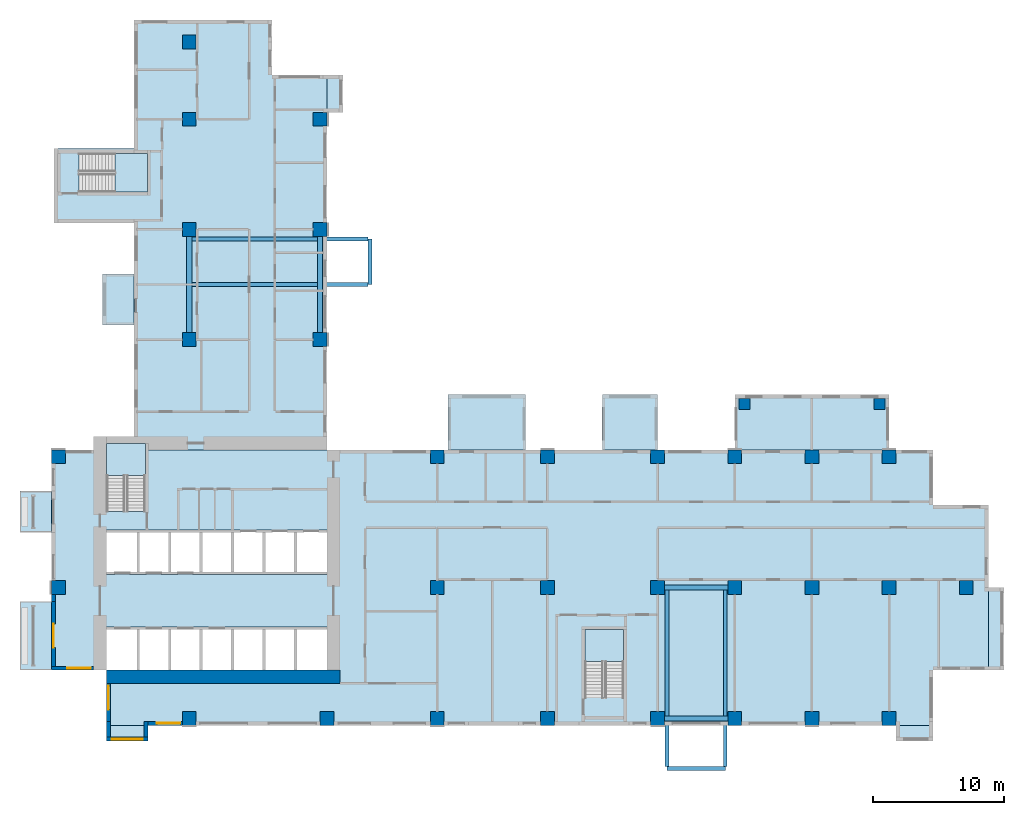
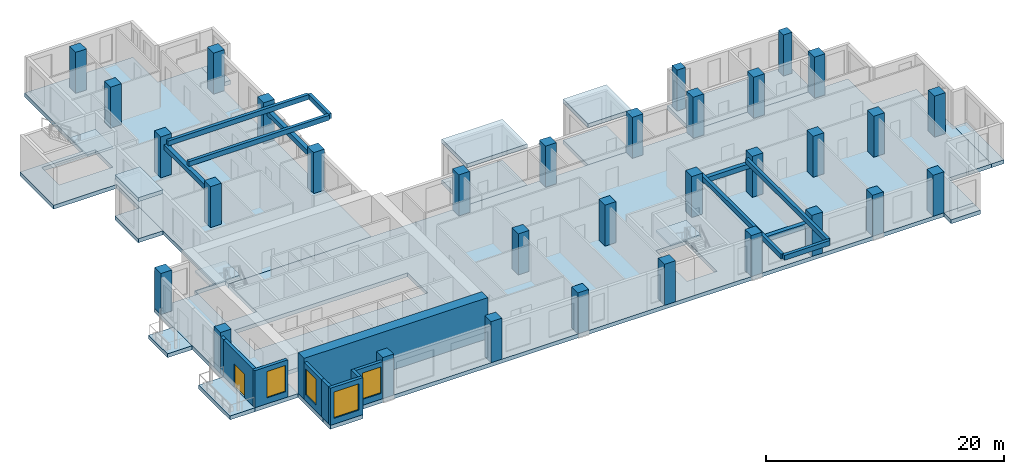
# One storey, part 1 of 14: 32 columns, 18 slabs, 10 beams, 9 walls, 4 windows, 1 door, 5 openings, 3 elements without a shape of their own.
"""IFC4 building model written with IfcOpenShell, lengths in metres."""

import ifcopenshell
import ifcopenshell.guid

model = None  # the IFC model being written
_history = None  # IfcOwnerHistory: only IFC2X3 demands one
_inside = {}  # id of a spatial element -> (the spatial element, [elements in it])
_under = {}  # id of a project, library or spatial element -> (it, [spatial elements below it])
_declared = {}  # id of a project -> (the project, [libraries it declares])
_typed = {}  # id of a type object -> (the type object, [elements of that type])
_made_of = {}  # id of a material, layer set ... -> (it, [elements and type objects made of it])


def new_model(schema):
    """Start an empty IFC model of exactly this schema.

    Asked for "IFC4X3", IfcOpenShell would pick the latest addendum, in which some entities
    have other attributes; the version numbers below select the first issue.
    IFC2X3 requires an IfcOwnerHistory on every rooted entity: one is made here for all.
    """
    global model, _history
    if schema == "IFC4X3":
        model = ifcopenshell.file(schema_version=(4, 3, 0, 0))
    else:
        model = ifcopenshell.file(schema=schema)
    _inside.clear()
    _under.clear()
    _declared.clear()
    _typed.clear()
    _made_of.clear()
    _history = None
    if model.schema == "IFC2X3":
        org = make("IfcOrganization", Name="unknown")
        user = make(
            "IfcPersonAndOrganization",
            ThePerson=make("IfcPerson", FamilyName="unknown"),
            TheOrganization=org,
        )
        app = make(
            "IfcApplication",
            ApplicationDeveloper=org,
            Version="unknown",
            ApplicationFullName="unknown",
            ApplicationIdentifier="unknown",
        )
        _history = make(
            "IfcOwnerHistory",
            OwningUser=user,
            OwningApplication=app,
            ChangeAction="ADDED",
            CreationDate=0,
        )
    return model


def make(cls, **values):
    """One entity of the class cls with the attributes given. An attribute that is None is left unset."""
    return model.create_entity(
        cls, **{name: value for name, value in values.items() if value is not None}
    )


def rooted(cls, **values):
    """An entity with a GlobalId (a new one), such as an element, a storey or a relation."""
    return make(cls, GlobalId=ifcopenshell.guid.new(), OwnerHistory=_history, **values)


def si_unit(unit_type, name, prefix=None):
    """IfcSIUnit, for example si_unit("LENGTHUNIT", "METRE", prefix="MILLI")."""
    return make("IfcSIUnit", UnitType=unit_type, Prefix=prefix, Name=name)


def assignment(units):
    """IfcUnitAssignment: the units of a project."""
    return None if units is None else make("IfcUnitAssignment", Units=units)


def point(xyz):
    """IfcCartesianPoint."""
    return None if xyz is None else make("IfcCartesianPoint", Coordinates=xyz)


def direction(xyz):
    """IfcDirection."""
    return None if xyz is None else make("IfcDirection", DirectionRatios=xyz)


def frame(location, z_axis=None, x_axis=None):
    """IfcAxis2Placement3D, a coordinate frame: its origin and axes. An axis left out is left unset."""
    return make(
        "IfcAxis2Placement3D",
        Location=point(location),
        Axis=direction(z_axis),
        RefDirection=direction(x_axis),
    )


def frame_2d(location, x_axis=None):
    """IfcAxis2Placement2D, a coordinate frame in the plane: its origin and x axis."""
    return make(
        "IfcAxis2Placement2D", Location=point(location), RefDirection=direction(x_axis)
    )


def origin():
    """The frame at (0, 0, 0) with its axes left unset."""
    return frame((0.0, 0.0, 0.0))


def origin_2d():
    """The frame at (0, 0) in the plane with its x axis left unset."""
    return frame_2d((0.0, 0.0))


def place(relative_to, where):
    """IfcLocalPlacement: puts the frame where relative to a parent placement (None: the world)."""
    return make(
        "IfcLocalPlacement", PlacementRelTo=relative_to, RelativePlacement=where
    )


def context(
    kind, dimensions, precision=None, world=None, true_north=None, identifier=None
):
    """IfcGeometricRepresentationContext, for example the 3D "Model" context."""
    return make(
        "IfcGeometricRepresentationContext",
        ContextIdentifier=identifier,
        ContextType=kind,
        CoordinateSpaceDimension=dimensions,
        Precision=precision,
        WorldCoordinateSystem=world,
        TrueNorth=true_north,
    )


def subcontext(parent, identifier, kind, view, scale=None):
    """IfcGeometricRepresentationSubContext, for example "Body" below "Model"."""
    return make(
        "IfcGeometricRepresentationSubContext",
        ContextIdentifier=identifier,
        ContextType=kind,
        ParentContext=parent,
        TargetScale=scale,
        TargetView=view,
    )


def project(units=None, contexts=None):
    """IfcProject with its units and contexts."""
    return rooted(
        "IfcProject",
        Name="project",
        RepresentationContexts=contexts,
        UnitsInContext=assignment(units),
    )


def spatial(cls, under=None, at=None, **own):
    """A site, building, storey or space (cls), placed at a placement, below another one or the project."""
    s = rooted(cls, ObjectPlacement=at, **own)
    if under is not None:
        _under.setdefault(under.id(), (under, []))[1].append(s)
    return s


def polyline(points):
    """IfcPolyline through the points."""
    return make("IfcPolyline", Points=[point(p) for p in points])


def profile(cls, at=None, kind="AREA", **sizes):
    """A parametric profile (cls). Its sizes go by their IFC names, for example OverallWidth=200.0."""
    return make(cls, ProfileType=kind, Position=at, **sizes)


def rectangle(**sizes):
    """IfcRectangleProfileDef."""
    return profile("IfcRectangleProfileDef", **sizes)


def outline(outer, holes=None, kind="AREA"):
    """IfcArbitraryClosedProfileDef: a profile drawn as a closed curve; with holes, ...WithVoids."""
    if holes is None:
        return make("IfcArbitraryClosedProfileDef", ProfileType=kind, OuterCurve=outer)
    return make(
        "IfcArbitraryProfileDefWithVoids",
        ProfileType=kind,
        OuterCurve=outer,
        InnerCurves=holes,
    )


def extrude(swept, where, along, depth):
    """IfcExtrudedAreaSolid: the profile swept, set in the frame where, extruded along a direction by depth."""
    return make(
        "IfcExtrudedAreaSolid",
        SweptArea=swept,
        Position=where,
        ExtrudedDirection=direction(along),
        Depth=depth,
    )


def shape(context_of_items, identifier, shape_type, items):
    """IfcShapeRepresentation: the items that make up one representation, for example the "Body"."""
    return make(
        "IfcShapeRepresentation",
        ContextOfItems=context_of_items,
        RepresentationIdentifier=identifier,
        RepresentationType=shape_type,
        Items=items,
    )


def source(mapping_origin, context_of_items, identifier, shape_type, items):
    """IfcRepresentationMap: a shape defined once, which mapped items show again and again."""
    return make(
        "IfcRepresentationMap",
        MappingOrigin=mapping_origin,
        MappedRepresentation=shape(context_of_items, identifier, shape_type, items),
    )


def transform(
    local_origin,
    x_axis=None,
    y_axis=None,
    z_axis=None,
    scale=None,
    scale2=None,
    scale3=None,
    uniform=True,
):
    """IfcCartesianTransformationOperator3D, or its non-uniform kind. x_axis, y_axis, z_axis: its Axis1, 2, 3."""
    if uniform:
        return make(
            "IfcCartesianTransformationOperator3D",
            Axis1=direction(x_axis),
            Axis2=direction(y_axis),
            LocalOrigin=point(local_origin),
            Scale=scale,
            Axis3=direction(z_axis),
        )
    return make(
        "IfcCartesianTransformationOperator3DnonUniform",
        Axis1=direction(x_axis),
        Axis2=direction(y_axis),
        LocalOrigin=point(local_origin),
        Scale=scale,
        Axis3=direction(z_axis),
        Scale2=scale2,
        Scale3=scale3,
    )


def mapped(mapping_source, mapping_target):
    """IfcMappedItem: shows the shape of a source again, moved by a transform."""
    return make(
        "IfcMappedItem", MappingSource=mapping_source, MappingTarget=mapping_target
    )


def material(Name=None, Category=None):
    """IfcMaterial."""
    return make("IfcMaterial", Name=Name, Category=Category)


def layer(
    of_material, thickness, ventilated=None, Name=None, Category=None, Priority=None
):
    """IfcMaterialLayer: one layer of a wall or slab, of a material (None: an air gap)."""
    return make(
        "IfcMaterialLayer",
        Material=of_material,
        LayerThickness=thickness,
        IsVentilated=ventilated,
        Name=Name,
        Category=Category,
        Priority=Priority,
    )


def layer_set(layers, Name=None):
    """IfcMaterialLayerSet."""
    return make("IfcMaterialLayerSet", MaterialLayers=layers, LayerSetName=Name)


def material_profile(
    of_material, cross_section, Name=None, Category=None, Priority=None
):
    """IfcMaterialProfile: a cross section and its material."""
    return make(
        "IfcMaterialProfile",
        Name=Name,
        Material=of_material,
        Profile=cross_section,
        Priority=Priority,
        Category=Category,
    )


def profile_set(profiles, Name=None, composite=None):
    """IfcMaterialProfileSet."""
    return make(
        "IfcMaterialProfileSet",
        Name=Name,
        MaterialProfiles=profiles,
        CompositeProfile=composite,
    )


def made_of(thing, what):
    """Note that an element or type object is made of a material, layer set ...; save() writes the relation."""
    if what is not None:
        _made_of.setdefault(what.id(), (what, []))[1].append(thing)
    return thing


def type_object(cls, material=None, **own):
    """A type object (cls), such as IfcWallType, which elements share."""
    return made_of(rooted(cls, **own), material)


def element(
    cls,
    number,
    at=None,
    inside=None,
    cuts=None,
    type_object=None,
    material=None,
    context=None,
    identifier="Body",
    shape_type=None,
    held_by="IfcProductDefinitionShape",
    body=None,
    shapes=None,
    **own,
):
    """One element of the class cls, such as IfcWall. Its Tag is "e" and its number.

    at: its placement. inside: the storey or other place that contains it. cuts: it is an
    opening in that element (IfcRelVoidsElement). A single representation is given by context,
    identifier, shape_type and body (its items); several are given by shapes. held_by: the class
    of the entity that holds the representations. save() writes the other relations.
    """
    e = rooted(cls, Tag="e%d" % number, ObjectPlacement=at, **own)
    if body is not None:
        shapes = [shape(context, identifier, shape_type, body)]
    if shapes is not None:
        e.Representation = make(held_by, Representations=shapes)
    if inside is not None:
        _inside.setdefault(inside.id(), (inside, []))[1].append(e)
    if cuts is not None:
        rooted(
            "IfcRelVoidsElement", RelatingBuildingElement=cuts, RelatedOpeningElement=e
        )
    if type_object is not None:
        _typed.setdefault(type_object.id(), (type_object, []))[1].append(e)
    return made_of(e, material)


def fill(opening, filler):
    """IfcRelFillsElement: the door or window that sits in an opening."""
    return rooted(
        "IfcRelFillsElement",
        RelatingOpeningElement=opening,
        RelatedBuildingElement=filler,
    )


def aggregate(whole, parts):
    """IfcRelAggregates: a whole, such as a stair, and the parts it consists of."""
    return rooted("IfcRelAggregates", RelatingObject=whole, RelatedObjects=parts)


def save(model, path):
    """Write the relations noted so far, then the file.

    IfcRelAggregates (storeys below a building ...), IfcRelContainedInSpatialStructure (elements
    in a storey), IfcRelDefinesByType, IfcRelAssociatesMaterial and IfcRelDeclares: one each for
    every whole, place, type object, material and project.
    """
    for whole, parts in _under.values():
        aggregate(whole, parts)
    for where, things in _inside.values():
        rooted(
            "IfcRelContainedInSpatialStructure",
            RelatedElements=things,
            RelatingStructure=where,
        )
    for kind, things in _typed.values():
        rooted("IfcRelDefinesByType", RelatedObjects=things, RelatingType=kind)
    for what, things in _made_of.values():
        rooted("IfcRelAssociatesMaterial", RelatedObjects=things, RelatingMaterial=what)
    for by, libraries in _declared.values():
        rooted("IfcRelDeclares", RelatingContext=by, RelatedDefinitions=libraries)
    model.write(path)


model = new_model("IFC4")

# Units and contexts
model_context = context("Model", 3, precision=1e-05, world=origin(), true_north=direction((0.0, 1.0)))
body_context = subcontext(model_context, "Body", "Model", "MODEL_VIEW")
ifc_project = project(units=[si_unit("LENGTHUNIT", "METRE"), si_unit("AREAUNIT", "SQUARE_METRE"), si_unit("VOLUMEUNIT", "CUBIC_METRE"), si_unit("PLANEANGLEUNIT", "RADIAN"), si_unit("MASSUNIT", "GRAM", prefix="KILO")], contexts=[model_context])

# Site, building, storey
site_placement = place(None, origin())
site = spatial("IfcSite", under=ifc_project, at=site_placement, CompositionType="ELEMENT")
building_placement = place(site_placement, origin())
building = spatial("IfcBuilding", under=site, at=building_placement, Name="Aurelian Terraces", CompositionType="ELEMENT")
storey_placement = place(building_placement, frame((0.0, 0.0, 141.3)))
storey = spatial("IfcBuildingStorey", under=building, at=storey_placement, Name="L31", CompositionType="ELEMENT", Elevation=141.3)

# Columns
ifc_material_1 = material(Name="Concrete fc' 83 MPa", Category="concrete")
ifc_material_profile_1 = material_profile(ifc_material_1, rectangle(XDim=1.05, YDim=1.05, at=origin_2d()))
ifc_profile_set_1 = profile_set([ifc_material_profile_1], Name="Concrete fc' 83 MPa")
column_type_1 = type_object("IfcColumnType", Name="RC COLUMN 1050X1050 FC83", PredefinedType="COLUMN", material=ifc_profile_set_1)
shared_shape_1 = source(origin(), body_context, "Body", "SweptSolid", [
    extrude(rectangle(XDim=1.05, YDim=1.05, at=origin_2d()), origin(), (0.0, 0.0, 1.0), 4.2),
])
for number, where, z_axis, x_axis, name in (
    (1, (10.5, 0.525, 0.0), (0.0, 0.0, 1.0), (1.0, 0.0, 0.0), "Column 2/A L31"),
    (2, (21.0, 0.525, 0.0), (0.0, 0.0, 1.0), (1.0, 0.0, 0.0), "Column 3/A L31"),
    (3, (29.4, 0.525, 0.0), (0.0, 0.0, 1.0), (1.0, 0.0, 0.0), "Column 4/A L31"),
    (4, (37.8, 0.525, 0.0), (0.0, 0.0, 1.0), (1.0, 0.0, 0.0), "Column 5/A L31"),
    (5, (46.2, 0.525, 0.0), (0.0, 0.0, 1.0), (1.0, 0.0, 0.0), "Column 6/A L31"),
    (6, (52.08, 0.525, 0.0), (0.0, 0.0, 1.0), (1.0, 0.0, 0.0), "Column 7/A L31"),
    (7, (57.96, 0.525, 0.0), (0.0, 0.0, 1.0), (1.0, 0.0, 0.0), "Column 8/A L31"),
    (8, (63.84, 0.525, 0.0), (0.0, 0.0, 1.0), (1.0, 0.0, 0.0), "Column 9/A L31"),
    (9, (0.525, 10.5, 0.0), (0.0, 0.0, 1.0), (1.0, 0.0, 0.0), "Column 1/B L31"),
    (10, (29.4, 10.5, 0.0), (0.0, 0.0, 1.0), (1.0, 0.0, 0.0), "Column 4/B L31"),
    (11, (37.8, 10.5, 0.0), (0.0, 0.0, 1.0), (1.0, 0.0, 0.0), "Column 5/B L31"),
    (12, (46.2, 10.5, 0.0), (0.0, 0.0, 1.0), (1.0, 0.0, 0.0), "Column 6/B L31"),
    (13, (52.08, 10.5, 0.0), (0.0, 0.0, 1.0), (1.0, 0.0, 0.0), "Column 7/B L31"),
    (14, (57.96, 10.5, 0.0), (0.0, 0.0, 1.0), (1.0, 0.0, 0.0), "Column 8/B L31"),
    (15, (63.84, 10.5, 0.0), (0.0, 0.0, 1.0), (1.0, 0.0, 0.0), "Column 9/B L31"),
    (16, (69.72, 10.5, 0.0), (0.0, 0.0, 1.0), (1.0, 0.0, 0.0), "Column 10/B L31"),
    (17, (0.525, 20.475, 0.0), (0.0, 0.0, 1.0), (1.0, 0.0, 0.0), "Column 1/C L31"),
    (18, (29.4, 20.475, 0.0), (0.0, 0.0, 1.0), (1.0, 0.0, 0.0), "Column 4/C L31"),
    (19, (37.8, 20.475, 0.0), (0.0, 0.0, 1.0), (1.0, 0.0, 0.0), "Column 5/C L31"),
    (20, (46.2, 20.475, 0.0), (0.0, 0.0, 1.0), (1.0, 0.0, 0.0), "Column 6/C L31"),
    (21, (52.08, 20.475, 0.0), (0.0, 0.0, 1.0), (1.0, 0.0, 0.0), "Column 7/C L31"),
    (22, (57.96, 20.475, 0.0), (0.0, 0.0, 1.0), (1.0, 0.0, 0.0), "Column 8/C L31"),
    (23, (63.84, 20.475, 0.0), (0.0, 0.0, 1.0), (1.0, 0.0, 0.0), "Column 9/C L31"),
    (24, (10.5, 29.4, 0.0), (0.0, 0.0, 1.0), (1.0, 0.0, 0.0), "Column 2/D L31"),
    (25, (20.475, 29.4, 0.0), (0.0, 0.0, 1.0), (1.0, 0.0, 0.0), "Column 3/D L31"),
    (26, (10.5, 37.8, 0.0), (0.0, 0.0, 1.0), (1.0, 0.0, 0.0), "Column 2/E L31"),
    (27, (20.475, 37.8, 0.0), (0.0, 0.0, 1.0), (1.0, 0.0, 0.0), "Column 3/E L31"),
    (28, (10.5, 46.2, 0.0), (0.0, 0.0, 1.0), (1.0, 0.0, 0.0), "Column 2/F L31"),
    (29, (20.475, 46.2, 0.0), (0.0, 0.0, 1.0), (1.0, 0.0, 0.0), "Column 3/F L31"),
    (30, (10.5, 52.08, 0.0), (0.0, 0.0, 1.0), (1.0, 0.0, 0.0), "Column 2/G L31"),
):
    element("IfcColumn", number, at=place(storey_placement, frame(where, z_axis=z_axis, x_axis=x_axis)), inside=storey, type_object=column_type_1, Name=name, PredefinedType="COLUMN", context=body_context, shape_type="MappedRepresentation", body=[
        mapped(shared_shape_1, transform((0.0, 0.0, 0.0), scale=1.0)),
    ])
ifc_material_2 = material(Name="Concrete fc' 55 MPa", Category="concrete")
ifc_material_profile_2 = material_profile(ifc_material_2, rectangle(XDim=0.84, YDim=0.84, at=origin_2d()))
ifc_profile_set_2 = profile_set([ifc_material_profile_2], Name="Concrete fc' 55 MPa")
column_type_2 = type_object("IfcColumnType", Name="BLOCK CORNER PIER 840X840", PredefinedType="COLUMN", material=ifc_profile_set_2)
shared_shape_2 = source(origin(), body_context, "Body", "SweptSolid", [
    extrude(rectangle(XDim=0.84, YDim=0.84, at=origin_2d()), origin(), (0.0, 0.0, 1.0), 4.2),
])
for number, where, z_axis, x_axis, name in (
    (31, (52.805, 24.48, 0.0), (0.0, 0.0, 1.0), (1.0, 0.0, 0.0), "Block pier K02.1 L31"),
    (32, (63.115, 24.48, 0.0), (0.0, 0.0, 1.0), (1.0, 0.0, 0.0), "Block pier K02.2 L31"),
):
    element("IfcColumn", number, at=place(storey_placement, frame(where, z_axis=z_axis, x_axis=x_axis)), inside=storey, type_object=column_type_2, Name=name, PredefinedType="COLUMN", context=body_context, shape_type="MappedRepresentation", body=[
        mapped(shared_shape_2, transform((0.0, 0.0, 0.0), scale=1.0)),
    ])

# Beams
ifc_material_3 = material(Name="Concrete fc' 40 MPa", Category="concrete")
ifc_material_profile_3 = material_profile(ifc_material_3, rectangle(XDim=0.4, YDim=0.5, at=origin_2d()))
ifc_profile_set_3 = profile_set([ifc_material_profile_3], Name="Concrete fc' 40 MPa")
beam_type_1 = type_object("IfcBeamType", Name="CONCRETE EDGE GIRDER 400X500", PredefinedType="BEAM", material=ifc_profile_set_3)
shared_shape_3 = source(origin(), body_context, "Body", "SweptSolid", [
    extrude(rectangle(XDim=0.4, YDim=0.5, at=origin_2d()), origin(), (0.0, 0.0, 1.0), 4.83),
])
for number, where, z_axis, x_axis, name in (
    (33, (46.725, 0.525, 3.05), (1.0, 0.0, 0.0), (0.0, 1.0, 0.0), "Box girder L31 O93"),
    (34, (46.725, 10.5, 3.05), (1.0, 0.0, 0.0), (0.0, 1.0, 0.0), "Box girder L31 I94"),
):
    element("IfcBeam", number, at=place(storey_placement, frame(where, z_axis=z_axis, x_axis=x_axis)), inside=storey, type_object=beam_type_1, Name=name, PredefinedType="BEAM", context=body_context, shape_type="MappedRepresentation", body=[
        mapped(shared_shape_3, transform((0.0, 0.0, 0.0), scale=1.0)),
    ])
ifc_material_profile_4 = material_profile(ifc_material_3, rectangle(XDim=0.3, YDim=0.5, at=origin_2d()))
ifc_profile_set_4 = profile_set([ifc_material_profile_4], Name="Concrete fc' 40 MPa")
beam_type_2 = type_object("IfcBeamType", Name="CONCRETE CANTILEVER BEAM 300X500", PredefinedType="BEAM", material=ifc_profile_set_4)
shared_shape_4 = source(origin(), body_context, "Body", "SweptSolid", [
    extrude(rectangle(XDim=0.3, YDim=0.5, at=origin_2d()), origin(), (0.0, 0.0, 1.0), 13.625),
])
for number, where, z_axis, x_axis, name in (
    (35, (46.925, -3.125, 3.55), (0.0, 1.0, 0.0), (-1.0, 0.0, 0.0), "Box cantilever beam J45.1"),
    (36, (51.355, -3.125, 3.55), (0.0, 1.0, 0.0), (-1.0, 0.0, 0.0), "Box cantilever beam J45.2"),
    (37, (24.125, 33.6, 3.55), (-1.0, 0.0, 0.0), (0.0, -1.0, 0.0), "Box cantilever beam J46.1"),
    (38, (24.125, 37.075, 3.55), (-1.0, 0.0, 0.0), (0.0, -1.0, 0.0), "Box cantilever beam J46.2"),
):
    element("IfcBeam", number, at=place(storey_placement, frame(where, z_axis=z_axis, x_axis=x_axis)), inside=storey, type_object=beam_type_2, Name=name, PredefinedType="BEAM", context=body_context, shape_type="MappedRepresentation", body=[
        mapped(shared_shape_4, transform((0.0, 0.0, 0.0), scale=1.0)),
    ])
shared_shape_5 = source(origin(), body_context, "Body", "SweptSolid", [
    extrude(rectangle(XDim=0.4, YDim=0.5, at=origin_2d()), origin(), (0.0, 0.0, 1.0), 7.35),
])
for number, where, z_axis, x_axis, name in (
    (39, (20.475, 29.925, 3.05), (0.0, 1.0, 0.0), (-1.0, 0.0, 0.0), "Box girder L31 O95"),
    (40, (10.5, 29.925, 3.05), (0.0, 1.0, 0.0), (-1.0, 0.0, 0.0), "Box girder L31 I96"),
):
    element("IfcBeam", number, at=place(storey_placement, frame(where, z_axis=z_axis, x_axis=x_axis)), inside=storey, type_object=beam_type_1, Name=name, PredefinedType="BEAM", context=body_context, shape_type="MappedRepresentation", body=[
        mapped(shared_shape_5, transform((0.0, 0.0, 0.0), scale=1.0)),
    ])
shared_shape_6 = source(origin(), body_context, "Body", "SweptSolid", [
    extrude(rectangle(XDim=0.3, YDim=0.5, at=origin_2d()), origin(), (0.0, 0.0, 1.0), 3.475),
])
beam_1_placement = place(storey_placement, frame((24.275, 33.6, 3.55), z_axis=(0.0, 1.0, 0.0), x_axis=(-1.0, 0.0, 0.0)))
element("IfcBeam", 41, at=beam_1_placement, inside=storey, type_object=beam_type_2, Name="Box tip beam J46", PredefinedType="BEAM", context=body_context, shape_type="MappedRepresentation", body=[
    mapped(shared_shape_6, transform((0.0, 0.0, 0.0), scale=1.0)),
])
shared_shape_7 = source(origin(), body_context, "Body", "SweptSolid", [
    extrude(rectangle(XDim=0.3, YDim=0.5, at=origin_2d()), origin(), (0.0, 0.0, 1.0), 4.43),
])
beam_2_placement = place(storey_placement, frame((46.925, -3.275, 3.55), z_axis=(1.0, 0.0, 0.0), x_axis=(0.0, 1.0, 0.0)))
element("IfcBeam", 42, at=beam_2_placement, inside=storey, type_object=beam_type_2, Name="Box tip beam J45", PredefinedType="BEAM", context=body_context, shape_type="MappedRepresentation", body=[
    mapped(shared_shape_7, transform((0.0, 0.0, 0.0), scale=1.0)),
])

# Slabs
ifc_layer_1 = layer(ifc_material_3, 0.4)
ifc_layer_set_1 = layer_set([ifc_layer_1], Name="PT FLAT PLATE 400")
slab_type_1 = type_object("IfcSlabType", Name="PT FLAT PLATE 400", PredefinedType="FLOOR", material=ifc_layer_set_1)
shared_shape_8 = source(origin(), body_context, "Body", "SweptSolid", [
    extrude(outline(polyline([(67.2, 16.8), (71.4, 16.8), (71.4, 4.2), (67.2, 4.2), (67.2, 0.0), (21.0, 0.0), (4.2, 0.0), (4.2, 4.2), (0.0, 4.2), (0.0, 21.0), (4.21, 21.0), (4.21, 16.31), (7.14, 16.31), (7.14, 21.0), (21.0, 21.0), (67.2, 21.0), (67.2, 16.8)]), holes=[polyline([(40.66, 2.11), (43.59, 2.11), (43.59, 7.29), (40.66, 7.29), (40.66, 2.11)]), polyline([(4.21, 7.49), (4.21, 4.21), (20.99, 4.21), (20.99, 7.49), (4.21, 7.49)]), polyline([(4.21, 14.89), (4.21, 11.51), (20.99, 11.51), (20.99, 14.89), (4.21, 14.89)])]), origin(), (0.0, 0.0, 1.0), 0.4),
])
slab_1_placement = place(storey_placement, frame((0.0, 0.0, -0.4)))
element("IfcSlab", 43, at=slab_1_placement, inside=storey, type_object=slab_type_1, Name="Floor slab S L31", PredefinedType="FLOOR", context=body_context, shape_type="MappedRepresentation", body=[
    mapped(shared_shape_8, transform((0.0, 0.0, 0.0), scale=1.0)),
])
shared_shape_9 = source(origin(), body_context, "Body", "SweptSolid", [
    extrude(outline(polyline([(0.2, 43.95), (6.3, 43.95), (6.3, 49.56), (6.3, 53.76), (10.5, 53.76), (16.8, 53.76), (16.8, 49.56), (21.0, 49.56), (21.0, 21.0), (7.14, 21.0), (7.14, 21.49), (4.21, 21.49), (4.21, 21.0), (4.2, 21.0), (4.2, 21.6), (6.3, 21.6), (6.3, 38.3), (0.2, 38.3), (0.2, 43.95)]), holes=[polyline([(7.29, 43.59), (2.11, 43.59), (2.11, 40.66), (7.29, 40.66), (7.29, 43.59)])]), origin(), (0.0, 0.0, 1.0), 0.4),
])
slab_2_placement = place(storey_placement, frame((0.0, 0.0, -0.4)))
element("IfcSlab", 44, at=slab_2_placement, inside=storey, type_object=slab_type_1, Name="Floor slab W L31", PredefinedType="FLOOR", context=body_context, shape_type="MappedRepresentation", body=[
    mapped(shared_shape_9, transform((0.0, 0.0, 0.0), scale=1.0)),
])
ifc_layer_2 = layer(ifc_material_3, 0.4)
ifc_layer_set_2 = layer_set([ifc_layer_2], Name="Bay floor 400")
slab_type_2 = type_object("IfcSlabType", Name="Bay floor 400", PredefinedType="NOTDEFINED", material=ifc_layer_set_2)
shared_shape_10 = source(origin(), body_context, "Body", "SweptSolid", [
    extrude(outline(polyline([(4.2, 0.0), (7.35, 0.0), (7.35, -1.2), (4.2, -1.2), (4.2, 0.0)])), origin(), (0.0, 0.0, 1.0), 0.4),
])
slab_3_placement = place(storey_placement, frame((0.0, 0.0, -0.4)))
element("IfcSlab", 45, at=slab_3_placement, inside=storey, type_object=slab_type_2, Name="Bay floor L31 F01.1", PredefinedType="NOTDEFINED", context=body_context, shape_type="MappedRepresentation", body=[
    mapped(shared_shape_10, transform((0.0, 0.0, 0.0), scale=1.0)),
])
ifc_layer_3 = layer(ifc_material_3, 0.41)
ifc_layer_set_3 = layer_set([ifc_layer_3], Name="Box floor 410")
slab_type_3 = type_object("IfcSlabType", Name="Box floor 410", PredefinedType="NOTDEFINED", material=ifc_layer_set_3)
shared_shape_11 = source(origin(), body_context, "Body", "SweptSolid", [
    extrude(outline(polyline([(36.12, 25.2), (30.24, 25.2), (30.24, 21.0), (36.12, 21.0), (36.12, 25.2)])), origin(), (0.0, 0.0, 1.0), 0.41),
])
slab_4_placement = place(storey_placement, frame((0.0, 0.0, -0.41)))
element("IfcSlab", 46, at=slab_4_placement, inside=storey, type_object=slab_type_3, Name="Box floor L31 J42", PredefinedType="NOTDEFINED", context=body_context, shape_type="MappedRepresentation", body=[
    mapped(shared_shape_11, transform((0.0, 0.0, 0.0), scale=1.0)),
])
shared_shape_12 = source(origin(), body_context, "Body", "SweptSolid", [
    extrude(outline(polyline([(71.4, 4.2), (71.4, 10.5), (72.6, 10.5), (72.6, 4.2), (71.4, 4.2)])), origin(), (0.0, 0.0, 1.0), 0.4),
])
slab_5_placement = place(storey_placement, frame((0.0, 0.0, -0.4)))
element("IfcSlab", 47, at=slab_5_placement, inside=storey, type_object=slab_type_2, Name="Bay floor L31 F04.14", PredefinedType="NOTDEFINED", context=body_context, shape_type="MappedRepresentation", body=[
    mapped(shared_shape_12, transform((0.0, 0.0, 0.0), scale=1.0)),
])
ifc_layer_4 = layer(ifc_material_3, 0.4)
ifc_layer_set_4 = layer_set([ifc_layer_4], Name="Box roof 400")
slab_type_4 = type_object("IfcSlabType", Name="Box roof 400", PredefinedType="ROOF", material=ifc_layer_set_4)
shared_shape_13 = source(origin(), body_context, "Body", "SweptSolid", [
    extrude(outline(polyline([(36.12, 25.2), (30.24, 25.2), (30.24, 21.0), (36.12, 21.0), (36.12, 25.2)])), origin(), (0.0, 0.0, 1.0), 0.4),
])
slab_6_placement = place(storey_placement, frame((0.0, 0.0, 3.8)))
element("IfcSlab", 48, at=slab_6_placement, inside=storey, type_object=slab_type_4, Name="Box roof J42", PredefinedType="ROOF", context=body_context, shape_type="MappedRepresentation", body=[
    mapped(shared_shape_13, transform((0.0, 0.0, 0.0), scale=1.0)),
])
shared_shape_14 = source(origin(), body_context, "Body", "SweptSolid", [
    extrude(outline(polyline([(46.2, 25.2), (42.0, 25.2), (42.0, 21.0), (46.2, 21.0), (46.2, 25.2)])), origin(), (0.0, 0.0, 1.0), 0.41),
])
slab_7_placement = place(storey_placement, frame((0.0, 0.0, -0.41)))
element("IfcSlab", 49, at=slab_7_placement, inside=storey, type_object=slab_type_3, Name="Box floor L31 J43", PredefinedType="NOTDEFINED", context=body_context, shape_type="MappedRepresentation", body=[
    mapped(shared_shape_14, transform((0.0, 0.0, 0.0), scale=1.0)),
])
shared_shape_15 = source(origin(), body_context, "Body", "SweptSolid", [
    extrude(outline(polyline([(3.9, 34.4), (3.9, 30.5), (6.3, 30.5), (6.3, 34.4), (3.9, 34.4)])), origin(), (0.0, 0.0, 1.0), 0.41),
])
slab_8_placement = place(storey_placement, frame((0.0, 0.0, -0.41)))
element("IfcSlab", 50, at=slab_8_placement, inside=storey, type_object=slab_type_3, Name="Box floor L31 J44", PredefinedType="NOTDEFINED", context=body_context, shape_type="MappedRepresentation", body=[
    mapped(shared_shape_15, transform((0.0, 0.0, 0.0), scale=1.0)),
])
shared_shape_16 = source(origin(), body_context, "Body", "SweptSolid", [
    extrude(outline(polyline([(63.84, 25.2), (52.08, 25.2), (52.08, 21.0), (63.84, 21.0), (63.84, 25.2)])), origin(), (0.0, 0.0, 1.0), 0.41),
])
slab_9_placement = place(storey_placement, frame((0.0, 0.0, -0.41)))
element("IfcSlab", 51, at=slab_9_placement, inside=storey, type_object=slab_type_3, Name="Box floor L31 K02", PredefinedType="NOTDEFINED", context=body_context, shape_type="MappedRepresentation", body=[
    mapped(shared_shape_16, transform((0.0, 0.0, 0.0), scale=1.0)),
])
shared_shape_17 = source(origin(), body_context, "Body", "SweptSolid", [
    extrude(outline(polyline([(64.365, 0.0), (67.2, 0.0), (67.2, -1.2), (64.365, -1.2), (64.365, 0.0)])), origin(), (0.0, 0.0, 1.0), 0.4),
])
slab_10_placement = place(storey_placement, frame((0.0, 0.0, -0.4)))
element("IfcSlab", 52, at=slab_10_placement, inside=storey, type_object=slab_type_2, Name="Bay floor L31 F01.10", PredefinedType="NOTDEFINED", context=body_context, shape_type="MappedRepresentation", body=[
    mapped(shared_shape_17, transform((0.0, 0.0, 0.0), scale=1.0)),
])
shared_shape_18 = source(origin(), body_context, "Body", "SweptSolid", [
    extrude(outline(polyline([(21.0, 46.725), (21.0, 49.56), (22.2, 49.56), (22.2, 46.725), (21.0, 46.725)])), origin(), (0.0, 0.0, 1.0), 0.4),
])
slab_11_placement = place(storey_placement, frame((0.0, 0.0, -0.4)))
element("IfcSlab", 53, at=slab_11_placement, inside=storey, type_object=slab_type_2, Name="Bay floor L31 F08.23", PredefinedType="NOTDEFINED", context=body_context, shape_type="MappedRepresentation", body=[
    mapped(shared_shape_18, transform((0.0, 0.0, 0.0), scale=1.0)),
])
ifc_layer_5 = layer(ifc_material_3, 0.4)
ifc_layer_set_5 = layer_set([ifc_layer_5], Name="Balcony slab 400")
slab_type_5 = type_object("IfcSlabType", Name="Balcony slab 400", PredefinedType="NOTDEFINED", material=ifc_layer_set_5)
shared_shape_19 = source(origin(), body_context, "Body", "SweptSolid", [
    extrude(outline(polyline([(0.0, 17.85), (0.0, 14.7), (-2.4, 14.7), (-2.4, 17.85), (0.0, 17.85)])), origin(), (0.0, 0.0, 1.0), 0.4),
])
slab_12_placement = place(storey_placement, frame((0.0, 0.0, -0.4)))
element("IfcSlab", 54, at=slab_12_placement, inside=storey, type_object=slab_type_5, Name="Balcony slab L31 F20.37", PredefinedType="NOTDEFINED", context=body_context, shape_type="MappedRepresentation", body=[
    mapped(shared_shape_19, transform((0.0, 0.0, 0.0), scale=1.0)),
])
shared_shape_20 = source(origin(), body_context, "Body", "SweptSolid", [
    extrude(outline(polyline([(0.0, 9.45), (0.0, 4.2), (-2.4, 4.2), (-2.4, 9.45), (0.0, 9.45)])), origin(), (0.0, 0.0, 1.0), 0.4),
])
slab_13_placement = place(storey_placement, frame((0.0, 0.0, -0.4)))
element("IfcSlab", 55, at=slab_13_placement, inside=storey, type_object=slab_type_5, Name="Balcony slab L31 F20.39", PredefinedType="NOTDEFINED", context=body_context, shape_type="MappedRepresentation", body=[
    mapped(shared_shape_20, transform((0.0, 0.0, 0.0), scale=1.0)),
])
shared_shape_21 = source(origin(), body_context, "Body", "SweptSolid", [
    extrude(outline(polyline([(46.2, 25.2), (42.0, 25.2), (42.0, 21.0), (46.2, 21.0), (46.2, 25.2)])), origin(), (0.0, 0.0, 1.0), 0.4),
])
slab_14_placement = place(storey_placement, frame((0.0, 0.0, 3.8)))
element("IfcSlab", 56, at=slab_14_placement, inside=storey, type_object=slab_type_4, Name="Box roof J43", PredefinedType="ROOF", context=body_context, shape_type="MappedRepresentation", body=[
    mapped(shared_shape_21, transform((0.0, 0.0, 0.0), scale=1.0)),
])
shared_shape_22 = source(origin(), body_context, "Body", "SweptSolid", [
    extrude(outline(polyline([(3.9, 34.4), (3.9, 30.5), (6.3, 30.5), (6.3, 34.4), (3.9, 34.4)])), origin(), (0.0, 0.0, 1.0), 0.4),
])
slab_15_placement = place(storey_placement, frame((0.0, 0.0, 3.8)))
element("IfcSlab", 57, at=slab_15_placement, inside=storey, type_object=slab_type_4, Name="Box roof J44", PredefinedType="ROOF", context=body_context, shape_type="MappedRepresentation", body=[
    mapped(shared_shape_22, transform((0.0, 0.0, 0.0), scale=1.0)),
])

# Stair, slab
stair_type = type_object("IfcStairType", Name="Stair 1400", PredefinedType="HALF_TURN_STAIR", material=ifc_material_3)
stair_1_placement = place(storey_placement, origin())
stair_1 = element("IfcStair", 58, at=stair_1_placement, inside=storey, type_object=stair_type, Name="L31 S1", PredefinedType="HALF_TURN_STAIR")
ifc_layer_6 = layer(ifc_material_3, 0.2)
ifc_layer_set_6 = layer_set([ifc_layer_6], Name="Stair landing 200")
slab_type_6 = type_object("IfcSlabType", Name="Stair landing 200", PredefinedType="LANDING", material=ifc_layer_set_6)
shared_shape_23 = source(origin(), body_context, "Body", "SweptSolid", [
    extrude(outline(polyline([(7.15, 19.05), (7.15, 21.5), (4.2, 21.5), (4.2, 19.05), (7.15, 19.05)])), origin(), (0.0, 0.0, 1.0), 0.2),
])
slab_16_placement = place(storey_placement, frame((0.0, 0.0, 1.9)))
slab_16 = element("IfcSlab", 59, at=slab_16_placement, type_object=slab_type_6, Name="S1 landing 1", PredefinedType="LANDING", context=body_context, shape_type="MappedRepresentation", body=[
    mapped(shared_shape_23, transform((0.0, 0.0, 0.0), scale=1.0)),
])
aggregate(stair_1, [slab_16])

stair_2_placement = place(storey_placement, origin())
stair_2 = element("IfcStair", 60, at=stair_2_placement, inside=storey, type_object=stair_type, Name="L31 S2", PredefinedType="HALF_TURN_STAIR")
shared_shape_24 = source(origin(), body_context, "Body", "SweptSolid", [
    extrude(outline(polyline([(43.6, 4.85), (43.6, 7.3), (40.65, 7.3), (40.65, 4.85), (43.6, 4.85)])), origin(), (0.0, 0.0, 1.0), 0.2),
])
slab_17_placement = place(storey_placement, frame((0.0, 0.0, 1.9)))
slab_17 = element("IfcSlab", 61, at=slab_17_placement, type_object=slab_type_6, Name="S2 landing 1", PredefinedType="LANDING", context=body_context, shape_type="MappedRepresentation", body=[
    mapped(shared_shape_24, transform((0.0, 0.0, 0.0), scale=1.0)),
])
aggregate(stair_2, [slab_17])

stair_3_placement = place(storey_placement, origin())
stair_3 = element("IfcStair", 62, at=stair_3_placement, inside=storey, type_object=stair_type, Name="L31 S3", PredefinedType="HALF_TURN_STAIR")
shared_shape_25 = source(origin(), body_context, "Body", "SweptSolid", [
    extrude(outline(polyline([(4.85, 40.65), (7.3, 40.65), (7.3, 43.6), (4.85, 43.6), (4.85, 40.65)])), origin(), (0.0, 0.0, 1.0), 0.2),
])
slab_18_placement = place(storey_placement, frame((0.0, 0.0, 1.9)))
slab_18 = element("IfcSlab", 63, at=slab_18_placement, type_object=slab_type_6, Name="S3 landing 1", PredefinedType="LANDING", context=body_context, shape_type="MappedRepresentation", body=[
    mapped(shared_shape_25, transform((0.0, 0.0, 0.0), scale=1.0)),
])
aggregate(stair_3, [slab_18])

# Wall
ifc_layer_7 = layer(ifc_material_1, 1.0)
ifc_layer_set_7 = layer_set([ifc_layer_7], Name="CORE WALL 1000 FC83")
wall_type_1 = type_object("IfcWallType", Name="CORE WALL 1000 FC83", PredefinedType="SHEAR", material=ifc_layer_set_7)
shared_shape_26 = source(origin(), body_context, "Body", "SweptSolid", [
    extrude(rectangle(XDim=17.8, YDim=1.0, at=frame_2d((8.9, 0.0))), origin(), (0.0, 0.0, 1.0), 4.2),
])
wall_1_placement = place(storey_placement, frame((4.2, 3.7, 0.0), z_axis=(0.0, 0.0, 1.0), x_axis=(1.0, 0.0, 0.0)))
element("IfcWall", 64, at=wall_1_placement, inside=storey, type_object=wall_type_1, Name="Core wall S L31", PredefinedType="SHEAR", context=body_context, shape_type="MappedRepresentation", body=[
    mapped(shared_shape_26, transform((0.0, 0.0, 0.0), scale=1.0)),
])

# Wall, opening, window
ifc_material_4 = material(Name="Terracotta rainscreen cladding", Category="masonry")
ifc_layer_8 = layer(ifc_material_4, 0.3)
ifc_layer_set_8 = layer_set([ifc_layer_8], Name="EW-300")
wall_type_2 = type_object("IfcWallType", Name="EW-300", PredefinedType="STANDARD", material=ifc_layer_set_8)
shared_shape_27 = source(origin(), body_context, "Body", "SweptSolid", [
    extrude(rectangle(XDim=3.15, YDim=0.3, at=frame_2d((1.575, 0.0))), origin(), (0.0, 0.0, 1.0), 3.8),
])
wall_2_placement = place(storey_placement, frame((4.2, -1.05, 0.0), z_axis=(0.0, 0.0, 1.0), x_axis=(1.0, 0.0, 0.0)))
wall_2 = element("IfcWall", 65, at=wall_2_placement, inside=storey, type_object=wall_type_2, Name="Bay wall L31 F01.1", PredefinedType="STANDARD", context=body_context, shape_type="MappedRepresentation", body=[
    mapped(shared_shape_27, transform((0.0, 0.0, 0.0), scale=1.0)),
])
shared_shape_28 = source(origin(), body_context, "Body", "SweptSolid", [
    extrude(rectangle(XDim=2.4, YDim=2.7, at=frame_2d((1.2, 1.35))), frame((0.0, 0.16, 0.0), z_axis=(0.0, -1.0, 0.0), x_axis=(1.0, 0.0, 0.0)), (0.0, 0.0, 1.0), 0.32),
])
opening_1_placement = place(wall_2_placement, frame((0.375, 0.0, 0.6)))
opening_1 = element("IfcOpeningElement", 66, at=opening_1_placement, cuts=wall_2, Name="Opening W2427", PredefinedType="OPENING", context=body_context, shape_type="MappedRepresentation", body=[
    mapped(shared_shape_28, transform((0.0, 0.0, 0.0), scale=1.0)),
])
ifc_material_5 = material(Name="Clear glazing", Category="glass")
window_type_1 = type_object("IfcWindowType", Name="W-2400x2700", PartitioningType="SINGLE_PANEL", PredefinedType="WINDOW", material=ifc_material_5)
shared_shape_29 = source(origin(), body_context, "Body", "SweptSolid", [
    extrude(rectangle(XDim=2.4, YDim=2.7, at=frame_2d((1.2, 1.35))), frame((0.0, 0.03, 0.0), z_axis=(0.0, -1.0, 0.0), x_axis=(1.0, 0.0, 0.0)), (0.0, 0.0, 1.0), 0.06),
])
window_1_placement = place(opening_1_placement, origin())
window_1 = element("IfcWindow", 67, at=window_1_placement, inside=storey, type_object=window_type_1, Name="Window L31 L31-F01-01-0", OverallHeight=2.7, OverallWidth=2.4, PartitioningType="SINGLE_PANEL", PredefinedType="WINDOW", context=body_context, shape_type="MappedRepresentation", body=[
    mapped(shared_shape_29, transform((0.0, 0.0, 0.0), scale=1.0)),
])
fill(opening_1, window_1)

# Walls
shared_shape_30 = source(origin(), body_context, "Body", "SweptSolid", [
    extrude(rectangle(XDim=1.2, YDim=0.3, at=frame_2d((0.6, 0.0))), origin(), (0.0, 0.0, 1.0), 3.8),
])
for number, where, z_axis, x_axis, name in (
    (68, (4.35, 0.3, 0.0), (0.0, 0.0, 1.0), (0.0, -1.0, 0.0), "Bay return L31 F01.1.1"),
    (69, (7.2, 0.3, 0.0), (0.0, 0.0, 1.0), (0.0, -1.0, 0.0), "Bay return L31 F01.1.2"),
):
    element("IfcWall", number, at=place(storey_placement, frame(where, z_axis=z_axis, x_axis=x_axis)), inside=storey, type_object=wall_type_2, Name=name, PredefinedType="STANDARD", context=body_context, shape_type="MappedRepresentation", body=[
        mapped(shared_shape_30, transform((0.0, 0.0, 0.0), scale=1.0)),
    ])

# Wall, opening, window
shared_shape_31 = source(origin(), body_context, "Body", "SweptSolid", [
    extrude(rectangle(XDim=3.2, YDim=0.3, at=frame_2d((1.6, 0.0))), origin(), (0.0, 0.0, 1.0), 3.8),
])
wall_3_placement = place(storey_placement, frame((0.0, 4.35, 0.0), z_axis=(0.0, 0.0, 1.0), x_axis=(1.0, 0.0, 0.0)))
wall_3 = element("IfcWall", 70, at=wall_3_placement, inside=storey, type_object=wall_type_2, Name="External wall L31 F21.40", PredefinedType="STANDARD", context=body_context, shape_type="MappedRepresentation", body=[
    mapped(shared_shape_31, transform((0.0, 0.0, 0.0), scale=1.0)),
])
shared_shape_32 = source(origin(), body_context, "Body", "SweptSolid", [
    extrude(rectangle(XDim=1.8, YDim=2.7, at=frame_2d((0.9, 1.35))), frame((0.0, 0.16, 0.0), z_axis=(0.0, -1.0, 0.0), x_axis=(1.0, 0.0, 0.0)), (0.0, 0.0, 1.0), 0.32),
])
opening_2_placement = place(wall_3_placement, frame((1.2, 0.0, 0.6)))
opening_2 = element("IfcOpeningElement", 71, at=opening_2_placement, cuts=wall_3, Name="Opening W1827", PredefinedType="OPENING", context=body_context, shape_type="MappedRepresentation", body=[
    mapped(shared_shape_32, transform((0.0, 0.0, 0.0), scale=1.0)),
])
window_type_2 = type_object("IfcWindowType", Name="W-1800x2700", PartitioningType="SINGLE_PANEL", PredefinedType="WINDOW", material=ifc_material_5)
shared_shape_33 = source(origin(), body_context, "Body", "SweptSolid", [
    extrude(rectangle(XDim=1.8, YDim=2.7, at=frame_2d((0.9, 1.35))), frame((0.0, 0.03, 0.0), z_axis=(0.0, -1.0, 0.0), x_axis=(1.0, 0.0, 0.0)), (0.0, 0.0, 1.0), 0.06),
])
window_2_placement = place(opening_2_placement, origin())
window_2 = element("IfcWindow", 72, at=window_2_placement, inside=storey, type_object=window_type_2, Name="Window L31 L31-F21-40-0", OverallHeight=2.7, OverallWidth=1.8, PartitioningType="SINGLE_PANEL", PredefinedType="WINDOW", context=body_context, shape_type="MappedRepresentation", body=[
    mapped(shared_shape_33, transform((0.0, 0.0, 0.0), scale=1.0)),
])
fill(opening_2, window_2)

wall_4_placement = place(storey_placement, frame((4.35, 3.2, 0.0), z_axis=(0.0, 0.0, 1.0), x_axis=(0.0, -1.0, 0.0)))
wall_4 = element("IfcWall", 73, at=wall_4_placement, inside=storey, type_object=wall_type_2, Name="External wall L31 F22.41", PredefinedType="STANDARD", context=body_context, shape_type="MappedRepresentation", body=[
    mapped(shared_shape_31, transform((0.0, 0.0, 0.0), scale=1.0)),
])
opening_3_placement = place(wall_4_placement, frame((0.2, 0.0, 0.6)))
opening_3 = element("IfcOpeningElement", 74, at=opening_3_placement, cuts=wall_4, Name="Opening W1827", PredefinedType="OPENING", context=body_context, shape_type="MappedRepresentation", body=[
    mapped(shared_shape_32, transform((0.0, 0.0, 0.0), scale=1.0)),
])
window_3_placement = place(opening_3_placement, origin())
window_3 = element("IfcWindow", 75, at=window_3_placement, inside=storey, type_object=window_type_2, Name="Window L31 L31-F22-41-0", OverallHeight=2.7, OverallWidth=1.8, PartitioningType="SINGLE_PANEL", PredefinedType="WINDOW", context=body_context, shape_type="MappedRepresentation", body=[
    mapped(shared_shape_33, transform((0.0, 0.0, 0.0), scale=1.0)),
])
fill(opening_3, window_3)

# Wall, opening, door
shared_shape_34 = source(origin(), body_context, "Body", "SweptSolid", [
    extrude(rectangle(XDim=5.25, YDim=0.3, at=frame_2d((2.625, 0.0))), origin(), (0.0, 0.0, 1.0), 3.8),
])
wall_5_placement = place(storey_placement, frame((0.15, 9.45, 0.0), z_axis=(0.0, 0.0, 1.0), x_axis=(0.0, -1.0, 0.0)))
wall_5 = element("IfcWall", 76, at=wall_5_placement, inside=storey, type_object=wall_type_2, Name="External wall L31 F20.39", PredefinedType="STANDARD", context=body_context, shape_type="MappedRepresentation", body=[
    mapped(shared_shape_34, transform((0.0, 0.0, 0.0), scale=1.0)),
])
shared_shape_35 = source(origin(), body_context, "Body", "SweptSolid", [
    extrude(rectangle(XDim=1.8, YDim=2.4, at=frame_2d((0.9, 1.2))), frame((0.0, 0.16, 0.0), z_axis=(0.0, -1.0, 0.0), x_axis=(1.0, 0.0, 0.0)), (0.0, 0.0, 1.0), 0.32),
])
opening_4_placement = place(wall_5_placement, frame((1.725, 0.0, 0.0)))
opening_4 = element("IfcOpeningElement", 77, at=opening_4_placement, cuts=wall_5, Name="Opening 83102", PredefinedType="OPENING", context=body_context, shape_type="MappedRepresentation", body=[
    mapped(shared_shape_35, transform((0.0, 0.0, 0.0), scale=1.0)),
])
door_type = type_object("IfcDoorType", Name="BD-1800x2400", OperationType="SLIDING_TO_LEFT", PredefinedType="DOOR", material=ifc_material_5)
shared_shape_36 = source(origin(), body_context, "Body", "SweptSolid", [
    extrude(rectangle(XDim=1.8, YDim=2.4, at=frame_2d((0.9, 1.2))), frame((0.0, 0.025, 0.0), z_axis=(0.0, -1.0, 0.0), x_axis=(1.0, 0.0, 0.0)), (0.0, 0.0, 1.0), 0.05),
])
door_placement = place(opening_4_placement, origin())
door = element("IfcDoor", 78, at=door_placement, inside=storey, type_object=door_type, Name="Balcony door L31 F20.39", OperationType="SLIDING_TO_LEFT", OverallHeight=2.4, OverallWidth=1.8, PredefinedType="DOOR", context=body_context, shape_type="MappedRepresentation", body=[
    mapped(shared_shape_36, transform((0.0, 0.0, 0.0), scale=1.0)),
])
fill(opening_4, door)

# Wall, opening, window
shared_shape_37 = source(origin(), body_context, "Body", "SweptSolid", [
    extrude(rectangle(XDim=2.625, YDim=0.3, at=frame_2d((1.3125, 0.0))), origin(), (0.0, 0.0, 1.0), 3.8),
])
wall_6_placement = place(storey_placement, frame((7.35, 0.15, 0.0), z_axis=(0.0, 0.0, 1.0), x_axis=(1.0, 0.0, 0.0)))
wall_6 = element("IfcWall", 79, at=wall_6_placement, inside=storey, type_object=wall_type_2, Name="External wall L31 F01.2", PredefinedType="STANDARD", context=body_context, shape_type="MappedRepresentation", body=[
    mapped(shared_shape_37, transform((0.0, 0.0, 0.0), scale=1.0)),
])
opening_5_placement = place(wall_6_placement, frame((0.675, 0.0, 0.6)))
opening_5 = element("IfcOpeningElement", 80, at=opening_5_placement, cuts=wall_6, Name="Opening W1827", PredefinedType="OPENING", context=body_context, shape_type="MappedRepresentation", body=[
    mapped(shared_shape_32, transform((0.0, 0.0, 0.0), scale=1.0)),
])
window_4_placement = place(opening_5_placement, origin())
window_4 = element("IfcWindow", 81, at=window_4_placement, inside=storey, type_object=window_type_2, Name="Window L31 L31-F01-02-0", OverallHeight=2.7, OverallWidth=1.8, PartitioningType="SINGLE_PANEL", PredefinedType="WINDOW", context=body_context, shape_type="MappedRepresentation", body=[
    mapped(shared_shape_33, transform((0.0, 0.0, 0.0), scale=1.0)),
])
fill(opening_5, window_4)

# Wall
shared_shape_38 = source(origin(), body_context, "Body", "SweptSolid", [
    extrude(rectangle(XDim=0.525, YDim=0.3, at=frame_2d((0.2625, 0.0))), origin(), (0.0, 0.0, 1.0), 3.8),
])
wall_7_placement = place(storey_placement, frame((0.15, 9.975, 0.0), z_axis=(0.0, 0.0, 1.0), x_axis=(0.0, -1.0, 0.0)))
element("IfcWall", 82, at=wall_7_placement, inside=storey, type_object=wall_type_2, Name="External wall L31 F20.38", PredefinedType="STANDARD", context=body_context, shape_type="MappedRepresentation", body=[
    mapped(shared_shape_38, transform((0.0, 0.0, 0.0), scale=1.0)),
])

save(model, "model.ifc")
